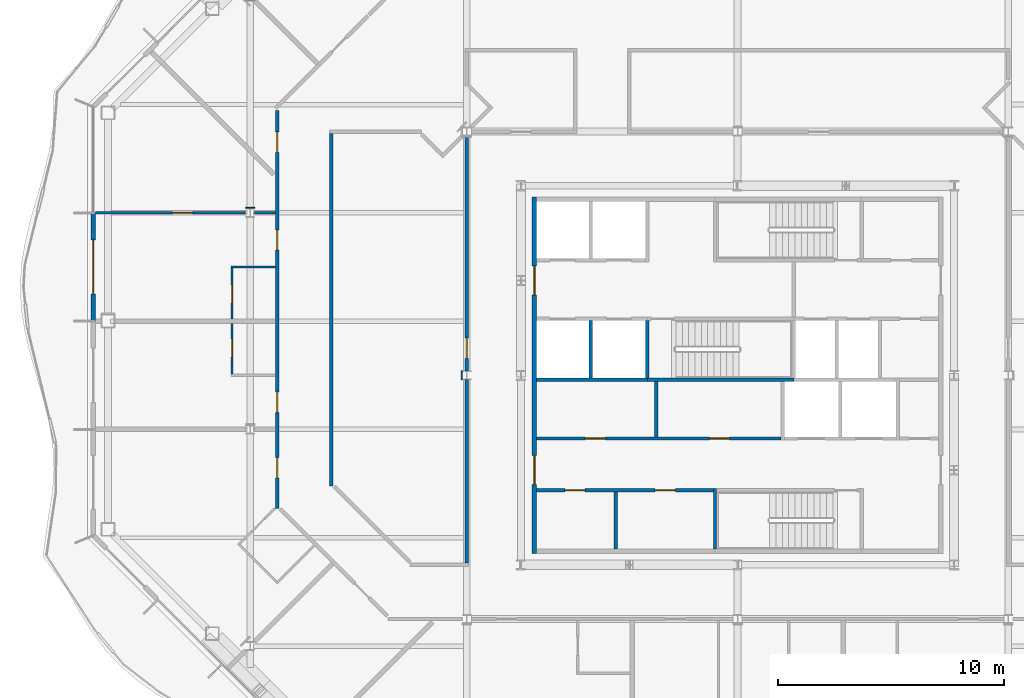
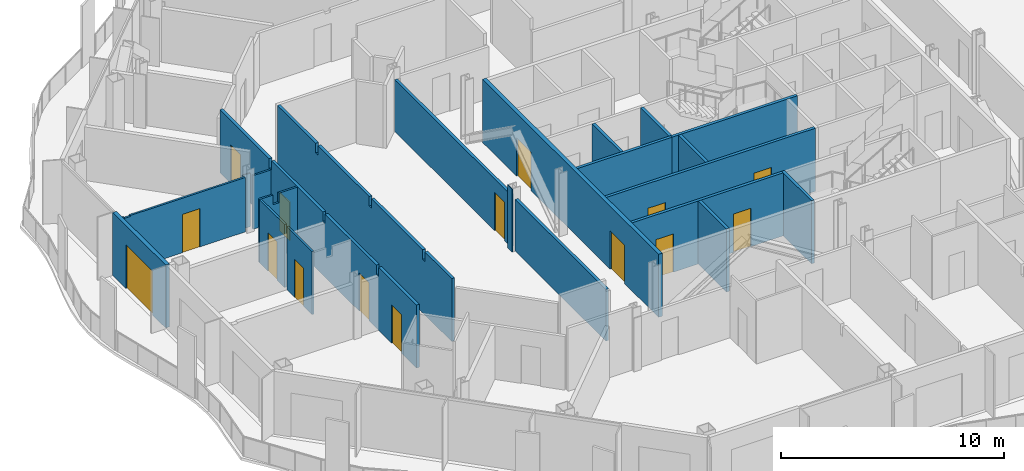
# One storey, part 8 of 20: 22 walls, 15 doors, 15 openings.
"""IFC4 building model written with IfcOpenShell, lengths in metres."""

from ifc_helpers import new_model, si_unit, direction, frame, frame_2d, origin, place, context, subcontext, project, spatial, polyline, rectangle, outline, extrude, material, layer, layer_set, type_object, element, fill, save


model = new_model("IFC4")

# Units and contexts
model_context = context("Model", 3, precision=1e-05, world=origin(), true_north=direction((0.0, 1.0)))
body_context = subcontext(model_context, "Body", "Model", "MODEL_VIEW")
ifc_project = project(units=[si_unit("LENGTHUNIT", "METRE"), si_unit("AREAUNIT", "SQUARE_METRE"), si_unit("VOLUMEUNIT", "CUBIC_METRE"), si_unit("PLANEANGLEUNIT", "RADIAN"), si_unit("MASSUNIT", "GRAM", prefix="KILO")], contexts=[model_context])

# Site, building, storey
site_placement = place(None, origin())
site = spatial("IfcSite", under=ifc_project, at=site_placement, CompositionType="ELEMENT")
building_placement = place(site_placement, origin())
building = spatial("IfcBuilding", under=site, at=building_placement, Name="Cairn Pilgrim Tower", CompositionType="ELEMENT")
storey_placement = place(building_placement, frame((0.0, 0.0, 165.0)))
storey = spatial("IfcBuildingStorey", under=building, at=storey_placement, Name="L41", CompositionType="ELEMENT", Elevation=165.0)

# Wall, opening, door
ifc_material_1 = material(Name="Bronze anodised aluminium insulated sandwich panel with mineral wool fill", Category="aluminium")
ifc_layer_1 = layer(ifc_material_1, 0.199951171875)
ifc_layer_set_1 = layer_set([ifc_layer_1], Name="BRONZE INFILL FRAME WALL 200")
wall_type_1 = type_object("IfcWallType", Name="BRONZE INFILL FRAME WALL 200", PredefinedType="NOTDEFINED", material=ifc_layer_set_1)
wall_1_placement = place(storey_placement, frame((-21.35009765625, 9.570068359375, 0.0), z_axis=(0.0, 0.0, 1.0), x_axis=(0.0, -1.0, 0.0)))
wall_1 = element("IfcWall", 1, at=wall_1_placement, inside=storey, type_object=wall_type_1, Name="Bronze infill frame wall IW-W2", PredefinedType="NOTDEFINED", context=body_context, shape_type="SweptSolid", body=[
    extrude(rectangle(XDim=4.739990234375, YDim=0.199951171875, at=frame_2d((2.3701171875, 0.0))), origin(), (0.0, 0.0, 1.0), 3.449951171875),
])
opening_1_placement = place(wall_1_placement, frame((1.169921875, 0.0, 0.0)))
opening_1 = element("IfcOpeningElement", 2, at=opening_1_placement, cuts=wall_1, Name="Opening 4117B", PredefinedType="OPENING", context=body_context, shape_type="SweptSolid", body=[
    extrude(rectangle(XDim=2.39990234375, YDim=2.39990234375, at=frame_2d((1.199951171875, 1.199951171875))), frame((0.0, 0.10986328125, 0.0), z_axis=(0.0, -1.0, 0.0), x_axis=(1.0, 0.0, 0.0)), (0.0, 0.0, 1.0), 0.219970703125),
])
ifc_material_2 = material(Name="Bronze anodised aluminium frame with tinted low-E glass", Category="aluminium")
door_type_1 = type_object("IfcDoorType", Name="BALCONY SLIDING DOOR 2400x2400", OperationType="DOUBLE_DOOR_SLIDING", PredefinedType="DOOR", material=ifc_material_2)
door_1_placement = place(opening_1_placement, origin())
door_1 = element("IfcDoor", 3, at=door_1_placement, inside=storey, type_object=door_type_1, Name="Balcony sliding door 4117B", OperationType="SINGLE_SWING_LEFT", OverallHeight=2.39990234375, OverallWidth=2.39990234375, PredefinedType="DOOR", context=body_context, shape_type="SweptSolid", body=[
    extrude(rectangle(XDim=2.39990234375, YDim=2.39990234375, at=frame_2d((1.199951171875, 1.199951171875))), frame((0.0, 0.02490234375, 0.0), z_axis=(0.0, -1.0, 0.0), x_axis=(1.0, 0.0, 0.0)), (0.0, 0.0, 1.0), 0.050048828125),
])
fill(opening_1, door_1)

# Wall, openings, doors
ifc_material_3 = material(Name="Concrete C32/40", Category="concrete")
ifc_layer_2 = layer(ifc_material_3, 0.199951171875)
ifc_layer_set_2 = layer_set([ifc_layer_2], Name="CORE OUTER WALL 200 EI 120")
wall_type_2 = type_object("IfcWallType", Name="CORE OUTER WALL 200 EI 120", PredefinedType="SOLIDWALL", material=ifc_layer_set_2)
wall_2_placement = place(storey_placement, frame((-1.800048828125, -5.5, 0.0), z_axis=(0.0, 0.0, 1.0), x_axis=(0.0, 1.0, 0.0)))
wall_2 = element("IfcWall", 4, at=wall_2_placement, inside=storey, type_object=wall_type_2, Name="CW:L41:V13", PredefinedType="SOLIDWALL", context=body_context, shape_type="SweptSolid", body=[
    extrude(rectangle(XDim=15.800048828125, YDim=0.199951171875, at=frame_2d((7.89990234375, 0.0))), origin(), (0.0, 0.0, 1.0), 3.449951171875),
])
opening_2_placement = place(wall_2_placement, frame((3.050048828125, 0.0, 0.0)))
opening_2 = element("IfcOpeningElement", 5, at=opening_2_placement, cuts=wall_2, Name="Opening CD-W1", PredefinedType="OPENING", context=body_context, shape_type="SweptSolid", body=[
    extrude(rectangle(XDim=1.300048828125, YDim=2.10009765625, at=frame_2d((0.64990234375, 1.050048828125))), frame((0.0, 0.10986328125, 0.0), z_axis=(0.0, -1.0, 0.0), x_axis=(1.0, 0.0, 0.0)), (0.0, 0.0, 1.0), 0.219970703125),
])
opening_3_placement = place(wall_2_placement, frame((11.449951171875, 0.0, 0.0)))
opening_3 = element("IfcOpeningElement", 6, at=opening_3_placement, cuts=wall_2, Name="Opening CD-W2", PredefinedType="OPENING", context=body_context, shape_type="SweptSolid", body=[
    extrude(rectangle(XDim=1.300048828125, YDim=2.10009765625, at=frame_2d((0.64990234375, 1.050048828125))), frame((0.0, 0.10986328125, 0.0), z_axis=(0.0, -1.0, 0.0), x_axis=(1.0, 0.0, 0.0)), (0.0, 0.0, 1.0), 0.219970703125),
])
ifc_material_4 = material(Name="Painted steel", Category="steel")
door_type_2 = type_object("IfcDoorType", Name="CORE LOBBY DOOR 1300x2100", OperationType="DOUBLE_DOOR_SINGLE_SWING", PredefinedType="DOOR", material=ifc_material_4)
door_2_placement = place(opening_2_placement, origin())
door_2 = element("IfcDoor", 7, at=door_2_placement, inside=storey, type_object=door_type_2, Name="CD-W1", OperationType="DOUBLE_DOOR_SINGLE_SWING", OverallHeight=2.10009765625, OverallWidth=1.300048828125, PredefinedType="DOOR", context=body_context, shape_type="SweptSolid", body=[
    extrude(rectangle(XDim=1.300048828125, YDim=2.10009765625, at=frame_2d((0.64990234375, 1.050048828125))), frame((0.0, 0.02490234375, 0.0), z_axis=(0.0, -1.0, 0.0), x_axis=(1.0, 0.0, 0.0)), (0.0, 0.0, 1.0), 0.050048828125),
])
fill(opening_2, door_2)
door_3_placement = place(opening_3_placement, origin())
door_3 = element("IfcDoor", 8, at=door_3_placement, inside=storey, type_object=door_type_2, Name="CD-W2", OperationType="DOUBLE_DOOR_SINGLE_SWING", OverallHeight=2.10009765625, OverallWidth=1.300048828125, PredefinedType="DOOR", context=body_context, shape_type="SweptSolid", body=[
    extrude(rectangle(XDim=1.300048828125, YDim=2.10009765625, at=frame_2d((0.64990234375, 1.050048828125))), frame((0.0, 0.02490234375, 0.0), z_axis=(0.0, -1.0, 0.0), x_axis=(1.0, 0.0, 0.0)), (0.0, 0.0, 1.0), 0.050048828125),
])
fill(opening_3, door_3)

ifc_layer_3 = layer(ifc_material_3, 0.14990234375)
ifc_layer_set_3 = layer_set([ifc_layer_3], Name="CORE PARTITION 150 EI 60")
wall_type_3 = type_object("IfcWallType", Name="CORE PARTITION 150 EI 60", PredefinedType="PARTITIONING", material=ifc_layer_set_3)
wall_3_placement = place(storey_placement, frame((-1.699951171875, -2.699951171875, 0.0), z_axis=(0.0, 0.0, 1.0), x_axis=(1.0, 0.0, 0.0)))
wall_3 = element("IfcWall", 9, at=wall_3_placement, inside=storey, type_object=wall_type_3, Name="CW:L41:H02", PredefinedType="PARTITIONING", context=body_context, shape_type="SweptSolid", body=[
    extrude(rectangle(XDim=7.824951171875, YDim=0.14990234375, at=frame_2d((3.91259765625, 0.0))), origin(), (0.0, 0.0, 1.0), 3.449951171875),
])
opening_4_placement = place(wall_3_placement, frame((1.25, 0.0, 0.0)))
opening_4 = element("IfcOpeningElement", 10, at=opening_4_placement, cuts=wall_3, Name="Opening RD-R1W1", PredefinedType="OPENING", context=body_context, shape_type="SweptSolid", body=[
    extrude(rectangle(XDim=0.89990234375, YDim=2.10009765625, at=frame_2d((0.449951171875, 1.050048828125))), frame((0.0, 0.0849609375, 0.0), z_axis=(0.0, -1.0, 0.0), x_axis=(1.0, 0.0, 0.0)), (0.0, 0.0, 1.0), 0.169921875),
])
opening_5_placement = place(wall_3_placement, frame((5.25, 0.0, 0.0)))
opening_5 = element("IfcOpeningElement", 11, at=opening_5_placement, cuts=wall_3, Name="Opening RD-R1W2", PredefinedType="OPENING", context=body_context, shape_type="SweptSolid", body=[
    extrude(rectangle(XDim=0.89990234375, YDim=2.10009765625, at=frame_2d((0.449951171875, 1.050048828125))), frame((0.0, 0.0849609375, 0.0), z_axis=(0.0, -1.0, 0.0), x_axis=(1.0, 0.0, 0.0)), (0.0, 0.0, 1.0), 0.169921875),
])
door_type_3 = type_object("IfcDoorType", Name="SERVICE ROOM DOOR 900x2100", OperationType="SINGLE_SWING_LEFT", PredefinedType="DOOR", material=ifc_material_4)
door_4_placement = place(opening_4_placement, origin())
door_4 = element("IfcDoor", 12, at=door_4_placement, inside=storey, type_object=door_type_3, Name="RD-R1W1", OperationType="SINGLE_SWING_LEFT", OverallHeight=2.10009765625, OverallWidth=0.89990234375, PredefinedType="DOOR", context=body_context, shape_type="SweptSolid", body=[
    extrude(rectangle(XDim=0.89990234375, YDim=2.10009765625, at=frame_2d((0.449951171875, 1.050048828125))), frame((0.0, 0.02490234375, 0.0), z_axis=(0.0, -1.0, 0.0), x_axis=(1.0, 0.0, 0.0)), (0.0, 0.0, 1.0), 0.050048828125),
])
fill(opening_4, door_4)
door_5_placement = place(opening_5_placement, origin())
door_5 = element("IfcDoor", 13, at=door_5_placement, inside=storey, type_object=door_type_3, Name="RD-R1W2", OperationType="SINGLE_SWING_RIGHT", OverallHeight=2.10009765625, OverallWidth=0.89990234375, PredefinedType="DOOR", context=body_context, shape_type="SweptSolid", body=[
    extrude(rectangle(XDim=0.89990234375, YDim=2.10009765625, at=frame_2d((0.449951171875, 1.050048828125))), frame((0.0, 0.02490234375, 0.0), z_axis=(0.0, -1.0, 0.0), x_axis=(1.0, 0.0, 0.0)), (0.0, 0.0, 1.0), 0.050048828125),
])
fill(opening_5, door_5)

wall_4_placement = place(storey_placement, frame((-1.699951171875, -0.39990234375, 0.0), z_axis=(0.0, 0.0, 1.0), x_axis=(1.0, 0.0, 0.0)))
wall_4 = element("IfcWall", 14, at=wall_4_placement, inside=storey, type_object=wall_type_3, Name="CW:L41:H04", PredefinedType="PARTITIONING", context=body_context, shape_type="SweptSolid", body=[
    extrude(rectangle(XDim=10.824951171875, YDim=0.14990234375, at=frame_2d((5.41259765625, 0.0))), origin(), (0.0, 0.0, 1.0), 3.449951171875),
])
opening_6_placement = place(wall_4_placement, frame((2.14990234375, 0.0, 0.0)))
opening_6 = element("IfcOpeningElement", 15, at=opening_6_placement, cuts=wall_4, Name="Opening RD-R2W1", PredefinedType="OPENING", context=body_context, shape_type="SweptSolid", body=[
    extrude(rectangle(XDim=0.89990234375, YDim=2.10009765625, at=frame_2d((0.449951171875, 1.050048828125))), frame((0.0, 0.0849609375, 0.0), z_axis=(0.0, -1.0, 0.0), x_axis=(1.0, 0.0, 0.0)), (0.0, 0.0, 1.0), 0.169921875),
])
opening_7_placement = place(wall_4_placement, frame((7.64990234375, 0.0, 0.0)))
opening_7 = element("IfcOpeningElement", 16, at=opening_7_placement, cuts=wall_4, Name="Opening RD-R2W2", PredefinedType="OPENING", context=body_context, shape_type="SweptSolid", body=[
    extrude(rectangle(XDim=0.89990234375, YDim=2.10009765625, at=frame_2d((0.449951171875, 1.050048828125))), frame((0.0, 0.0849609375, 0.0), z_axis=(0.0, -1.0, 0.0), x_axis=(1.0, 0.0, 0.0)), (0.0, 0.0, 1.0), 0.169921875),
])
door_6_placement = place(opening_6_placement, origin())
door_6 = element("IfcDoor", 17, at=door_6_placement, inside=storey, type_object=door_type_3, Name="RD-R2W1", OperationType="SINGLE_SWING_LEFT", OverallHeight=2.10009765625, OverallWidth=0.89990234375, PredefinedType="DOOR", context=body_context, shape_type="SweptSolid", body=[
    extrude(rectangle(XDim=0.89990234375, YDim=2.10009765625, at=frame_2d((0.449951171875, 1.050048828125))), frame((0.0, 0.02490234375, 0.0), z_axis=(0.0, -1.0, 0.0), x_axis=(1.0, 0.0, 0.0)), (0.0, 0.0, 1.0), 0.050048828125),
])
fill(opening_6, door_6)
door_7_placement = place(opening_7_placement, origin())
door_7 = element("IfcDoor", 18, at=door_7_placement, inside=storey, type_object=door_type_3, Name="RD-R2W2", OperationType="SINGLE_SWING_RIGHT", OverallHeight=2.10009765625, OverallWidth=0.89990234375, PredefinedType="DOOR", context=body_context, shape_type="SweptSolid", body=[
    extrude(rectangle(XDim=0.89990234375, YDim=2.10009765625, at=frame_2d((0.449951171875, 1.050048828125))), frame((0.0, 0.02490234375, 0.0), z_axis=(0.0, -1.0, 0.0), x_axis=(1.0, 0.0, 0.0)), (0.0, 0.0, 1.0), 0.050048828125),
])
fill(opening_7, door_7)

# Walls
wall_5_placement = place(storey_placement, frame((1.800048828125, -5.300048828125, 0.0), z_axis=(0.0, 0.0, 1.0), x_axis=(0.0, 1.0, 0.0)))
element("IfcWall", 19, at=wall_5_placement, inside=storey, type_object=wall_type_3, Name="CW:L41:V16", PredefinedType="PARTITIONING", context=body_context, shape_type="SweptSolid", body=[
    extrude(rectangle(XDim=2.525146484375, YDim=0.14990234375, at=frame_2d((1.2626953125, 0.0))), origin(), (0.0, 0.0, 1.0), 3.449951171875),
])
wall_6_placement = place(storey_placement, frame((3.60009765625, -0.324951171875, 0.0), z_axis=(0.0, 0.0, 1.0), x_axis=(0.0, 1.0, 0.0)))
element("IfcWall", 20, at=wall_6_placement, inside=storey, type_object=wall_type_3, Name="CW:L41:V19", PredefinedType="PARTITIONING", context=body_context, shape_type="SweptSolid", body=[
    extrude(rectangle(XDim=2.449951171875, YDim=0.14990234375, at=frame_2d((1.22509765625, 0.0))), origin(), (0.0, 0.0, 1.0), 3.449951171875),
])
ifc_layer_4 = layer(ifc_material_3, 0.14990234375)
ifc_layer_set_4 = layer_set([ifc_layer_4], Name="CORE SHAFT WALL 150 EI 120")
wall_type_4 = type_object("IfcWallType", Name="CORE SHAFT WALL 150 EI 120", PredefinedType="SOLIDWALL", material=ifc_layer_set_4)
wall_7_placement = place(storey_placement, frame((-1.699951171875, 2.199951171875, 0.0), z_axis=(0.0, 0.0, 1.0), x_axis=(1.0, 0.0, 0.0)))
element("IfcWall", 21, at=wall_7_placement, inside=storey, type_object=wall_type_4, Name="CW:L41:H07-1", PredefinedType="SOLIDWALL", context=body_context, shape_type="SweptSolid", body=[
    extrude(rectangle(XDim=4.89990234375, YDim=0.14990234375, at=frame_2d((2.449951171875, 0.0))), origin(), (0.0, 0.0, 1.0), 3.449951171875),
])
wall_8_placement = place(storey_placement, frame((0.699951171875, 2.27490234375, 0.0), z_axis=(0.0, 0.0, 1.0), x_axis=(0.0, 1.0, 0.0)))
element("IfcWall", 22, at=wall_8_placement, inside=storey, type_object=wall_type_4, Name="CW:L41:V14", PredefinedType="SOLIDWALL", context=body_context, shape_type="SweptSolid", body=[
    extrude(rectangle(XDim=2.550048828125, YDim=0.14990234375, at=frame_2d((1.27490234375, 0.0))), origin(), (0.0, 0.0, 1.0), 3.449951171875),
])

# Wall, opening, door
ifc_material_5 = material(Name="Gypsum partition")
ifc_layer_5 = layer(ifc_material_5, 0.10009765625)
ifc_layer_set_5 = layer_set([ifc_layer_5], Name="PARTITION 100 DRYWALL")
wall_type_5 = type_object("IfcWallType", Name="PARTITION 100 DRYWALL", PredefinedType="PARTITIONING", material=ifc_layer_set_5)
wall_9_placement = place(storey_placement, frame((-15.199951171875, 2.449951171875, 0.0), z_axis=(0.0, 0.0, 1.0), x_axis=(0.0, 1.0, 0.0)))
wall_9 = element("IfcWall", 23, at=wall_9_placement, inside=storey, type_object=wall_type_5, Name="PARTITION W048", PredefinedType="PARTITIONING", context=body_context, shape_type="SweptSolid", body=[
    extrude(rectangle(XDim=2.25, YDim=0.10009765625, at=frame_2d((1.125, 0.0))), origin(), (0.0, 0.0, 1.0), 3.449951171875),
])
opening_8_placement = place(wall_9_placement, frame((0.75, 0.0, 0.0)))
opening_8 = element("IfcOpeningElement", 24, at=opening_8_placement, cuts=wall_9, Name="Opening 4118A", PredefinedType="OPENING", context=body_context, shape_type="SweptSolid", body=[
    extrude(rectangle(XDim=0.800048828125, YDim=2.10009765625, at=frame_2d((0.39990234375, 1.050048828125))), frame((0.0, 0.06005859375, 0.0), z_axis=(0.0, -1.0, 0.0), x_axis=(1.0, 0.0, 0.0)), (0.0, 0.0, 1.0), 0.1201171875),
])
ifc_material_6 = material(Name="Timber door leaf", Category="wood")
door_type_4 = type_object("IfcDoorType", Name="WC DOOR 800x2100", OperationType="NOTDEFINED", PredefinedType="DOOR", material=ifc_material_6)
door_8_placement = place(opening_8_placement, origin())
door_8 = element("IfcDoor", 25, at=door_8_placement, inside=storey, type_object=door_type_4, Name="DOOR 4118A", OperationType="SINGLE_SWING_LEFT", OverallHeight=2.10009765625, OverallWidth=0.800048828125, PredefinedType="DOOR", context=body_context, shape_type="SweptSolid", body=[
    extrude(rectangle(XDim=0.800048828125, YDim=2.10009765625, at=frame_2d((0.39990234375, 1.050048828125))), frame((0.0, 0.02490234375, 0.0), z_axis=(0.0, -1.0, 0.0), x_axis=(1.0, 0.0, 0.0)), (0.0, 0.0, 1.0), 0.050048828125),
])
fill(opening_8, door_8)

wall_10_placement = place(storey_placement, frame((-15.199951171875, 4.89990234375, 0.0), z_axis=(0.0, 0.0, 1.0), x_axis=(0.0, 1.0, 0.0)))
wall_10 = element("IfcWall", 26, at=wall_10_placement, inside=storey, type_object=wall_type_5, Name="PARTITION W059", PredefinedType="PARTITIONING", context=body_context, shape_type="SweptSolid", body=[
    extrude(rectangle(XDim=2.25, YDim=0.10009765625, at=frame_2d((1.125, 0.0))), origin(), (0.0, 0.0, 1.0), 3.449951171875),
])
opening_9_placement = place(wall_10_placement, frame((0.699951171875, 0.0, 0.0)))
opening_9 = element("IfcOpeningElement", 27, at=opening_9_placement, cuts=wall_10, Name="Opening 4117A", PredefinedType="OPENING", context=body_context, shape_type="SweptSolid", body=[
    extrude(rectangle(XDim=0.800048828125, YDim=2.10009765625, at=frame_2d((0.39990234375, 1.050048828125))), frame((0.0, 0.06005859375, 0.0), z_axis=(0.0, -1.0, 0.0), x_axis=(1.0, 0.0, 0.0)), (0.0, 0.0, 1.0), 0.1201171875),
])
door_9_placement = place(opening_9_placement, origin())
door_9 = element("IfcDoor", 28, at=door_9_placement, inside=storey, type_object=door_type_4, Name="DOOR 4117A", OperationType="SINGLE_SWING_LEFT", OverallHeight=2.10009765625, OverallWidth=0.800048828125, PredefinedType="DOOR", context=body_context, shape_type="SweptSolid", body=[
    extrude(rectangle(XDim=0.800048828125, YDim=2.10009765625, at=frame_2d((0.39990234375, 1.050048828125))), frame((0.0, 0.02490234375, 0.0), z_axis=(0.0, -1.0, 0.0), x_axis=(1.0, 0.0, 0.0)), (0.0, 0.0, 1.0), 0.050048828125),
])
fill(opening_9, door_9)

# Wall
wall_11_placement = place(storey_placement, frame((-15.25, 7.199951171875, 0.0), z_axis=(0.0, 0.0, 1.0), x_axis=(1.0, 0.0, 0.0)))
element("IfcWall", 29, at=wall_11_placement, inside=storey, type_object=wall_type_5, Name="PARTITION W062", PredefinedType="PARTITIONING", context=body_context, shape_type="SweptSolid", body=[
    extrude(outline(polyline([(0.0, 0.0), (1.97509765625, 0.0), (1.97509765625, 3.449951171875), (1.0, 3.449951171875), (0.998046875, 2.929931640625), (0.699951171875, 2.929931640625), (0.697998046875, 3.449951171875), (0.0, 3.449951171875), (0.0, 0.0)])), frame((0.0, 0.050048828125, 0.0), z_axis=(0.0, -1.0, 0.0), x_axis=(1.0, 0.0, 0.0)), (0.0, 0.0, 1.0), 0.10009765625),
])

# Wall, opening, door
wall_12_placement = place(storey_placement, frame((-21.25, 9.60009765625, 0.0), z_axis=(0.0, 0.0, 1.0), x_axis=(1.0, 0.0, 0.0)))
wall_12 = element("IfcWall", 30, at=wall_12_placement, inside=storey, type_object=wall_type_5, Name="PARTITION W064", PredefinedType="PARTITIONING", context=body_context, shape_type="SweptSolid", body=[
    extrude(outline(polyline([(0.0, 0.0), (6.650390625, 0.0), (6.650390625, 2.97998046875), (0.699951171875, 2.97998046875), (0.697998046875, 2.929931640625), (0.39990234375, 2.929931640625), (0.39794921875, 2.97998046875), (0.0, 2.97998046875), (0.0, 0.0)])), frame((0.0, 0.050048828125, 0.0), z_axis=(0.0, -1.0, 0.0), x_axis=(1.0, 0.0, 0.0)), (0.0, 0.0, 1.0), 0.10009765625),
])
opening_10_placement = place(wall_12_placement, frame((3.39990234375, 0.0, 0.0)))
opening_10 = element("IfcOpeningElement", 31, at=opening_10_placement, cuts=wall_12, Name="Opening 4123", PredefinedType="OPENING", context=body_context, shape_type="SweptSolid", body=[
    extrude(rectangle(XDim=0.89990234375, YDim=2.10009765625, at=frame_2d((0.449951171875, 1.050048828125))), frame((0.0, 0.06005859375, 0.0), z_axis=(0.0, -1.0, 0.0), x_axis=(1.0, 0.0, 0.0)), (0.0, 0.0, 1.0), 0.1201171875),
])
door_type_5 = type_object("IfcDoorType", Name="SERVICE DOOR 900x2100", OperationType="NOTDEFINED", PredefinedType="DOOR", material=ifc_material_6)
door_10_placement = place(opening_10_placement, frame((0.89990234375, 0.0, 0.0), z_axis=(0.0, 0.0, 1.0), x_axis=(-1.0, 0.0, 0.0)))
door_10 = element("IfcDoor", 32, at=door_10_placement, inside=storey, type_object=door_type_5, Name="DOOR 4123", OperationType="SINGLE_SWING_LEFT", OverallHeight=2.10009765625, OverallWidth=0.89990234375, PredefinedType="DOOR", context=body_context, shape_type="SweptSolid", body=[
    extrude(rectangle(XDim=0.89990234375, YDim=2.10009765625, at=frame_2d((0.449951171875, 1.050048828125))), frame((0.0, 0.02490234375, 0.0), z_axis=(0.0, -1.0, 0.0), x_axis=(1.0, 0.0, 0.0)), (0.0, 0.0, 1.0), 0.050048828125),
])
fill(opening_10, door_10)

# Walls
wall_13_placement = place(storey_placement, frame((-14.200439453125, 9.60009765625, 0.0), z_axis=(0.0, 0.0, 1.0), x_axis=(1.0, 0.0, 0.0)))
element("IfcWall", 33, at=wall_13_placement, inside=storey, type_object=wall_type_5, Name="PARTITION W065", PredefinedType="PARTITIONING", context=body_context, shape_type="SweptSolid", body=[
    extrude(rectangle(XDim=0.925537109375, YDim=0.10009765625, at=frame_2d((0.462890625, 0.0))), origin(), (0.0, 0.0, 1.0), 2.929931640625),
])
ifc_layer_6 = layer(ifc_material_5, 0.14990234375)
ifc_layer_set_6 = layer_set([ifc_layer_6], Name="PARTITION 150 DRYWALL EI 60")
wall_type_6 = type_object("IfcWallType", Name="PARTITION 150 DRYWALL EI 60", PredefinedType="PARTITIONING", material=ifc_layer_set_6)
wall_14_placement = place(storey_placement, frame((-4.800048828125, -5.925048828125, 0.0), z_axis=(0.0, 0.0, 1.0), x_axis=(0.0, 1.0, 0.0)))
element("IfcWall", 34, at=wall_14_placement, inside=storey, type_object=wall_type_6, Name="PARTITION W033", PredefinedType="PARTITIONING", context=body_context, shape_type="SweptSolid", body=[
    extrude(rectangle(XDim=8.128662109375, YDim=0.14990234375, at=frame_2d((4.064453125, 0.0))), origin(), (0.0, 0.0, 1.0), 2.830078125),
])

# Wall, openings, doors
wall_15_placement = place(storey_placement, frame((-13.199951171875, -3.5, 0.0), z_axis=(0.0, 0.0, 1.0), x_axis=(0.0, 1.0, 0.0)))
wall_15 = element("IfcWall", 35, at=wall_15_placement, inside=storey, type_object=wall_type_6, Name="PARTITION W037", PredefinedType="PARTITIONING", context=body_context, shape_type="SweptSolid", body=[
    extrude(outline(polyline([(0.0, 0.0), (17.634033203125, 0.0), (17.634033203125, 3.449951171875), (13.2001953125, 3.449951171875), (13.197998046875, 2.929931640625), (13.0, 2.929931640625), (12.998046875, 3.449951171875), (8.400146484375, 3.449951171875), (8.398193359375, 2.929931640625), (8.2001953125, 2.929931640625), (8.197998046875, 3.449951171875), (3.60009765625, 3.449951171875), (3.59814453125, 2.929931640625), (3.400146484375, 2.929931640625), (3.398193359375, 3.449951171875), (0.0, 3.449951171875), (0.0, 0.0)])), frame((0.0, 0.074951171875, 0.0), z_axis=(0.0, -1.0, 0.0), x_axis=(1.0, 0.0, 0.0)), (0.0, 0.0, 1.0), 0.14990234375),
])
opening_11_placement = place(wall_15_placement, frame((15.7841796875, 0.0, 0.0)))
opening_11 = element("IfcOpeningElement", 36, at=opening_11_placement, cuts=wall_15, Name="Opening 4116", PredefinedType="OPENING", context=body_context, shape_type="SweptSolid", body=[
    extrude(rectangle(XDim=0.89990234375, YDim=2.10009765625, at=frame_2d((0.449951171875, 1.050048828125))), frame((0.0, 0.0849609375, 0.0), z_axis=(0.0, -1.0, 0.0), x_axis=(1.0, 0.0, 0.0)), (0.0, 0.0, 1.0), 0.169921875),
])
opening_12_placement = place(wall_15_placement, frame((11.449951171875, 0.0, 0.0)))
opening_12 = element("IfcOpeningElement", 37, at=opening_12_placement, cuts=wall_15, Name="Opening 4117", PredefinedType="OPENING", context=body_context, shape_type="SweptSolid", body=[
    extrude(rectangle(XDim=0.89990234375, YDim=2.10009765625, at=frame_2d((0.449951171875, 1.050048828125))), frame((0.0, 0.0849609375, 0.0), z_axis=(0.0, -1.0, 0.0), x_axis=(1.0, 0.0, 0.0)), (0.0, 0.0, 1.0), 0.169921875),
])
opening_13_placement = place(wall_15_placement, frame((4.25, 0.0, 0.0)))
opening_13 = element("IfcOpeningElement", 38, at=opening_13_placement, cuts=wall_15, Name="Opening 4118", PredefinedType="OPENING", context=body_context, shape_type="SweptSolid", body=[
    extrude(rectangle(XDim=0.89990234375, YDim=2.10009765625, at=frame_2d((0.449951171875, 1.050048828125))), frame((0.0, 0.0849609375, 0.0), z_axis=(0.0, -1.0, 0.0), x_axis=(1.0, 0.0, 0.0)), (0.0, 0.0, 1.0), 0.169921875),
])
opening_14_placement = place(wall_15_placement, frame((1.35302734375, 0.0, 0.0)))
opening_14 = element("IfcOpeningElement", 39, at=opening_14_placement, cuts=wall_15, Name="Opening 4119", PredefinedType="OPENING", context=body_context, shape_type="SweptSolid", body=[
    extrude(rectangle(XDim=0.89990234375, YDim=2.10009765625, at=frame_2d((0.449951171875, 1.050048828125))), frame((0.0, 0.0849609375, 0.0), z_axis=(0.0, -1.0, 0.0), x_axis=(1.0, 0.0, 0.0)), (0.0, 0.0, 1.0), 0.169921875),
])
door_type_6 = type_object("IfcDoorType", Name="ROOM DOOR 900x2100 FD30S", OperationType="NOTDEFINED", PredefinedType="DOOR", material=ifc_material_6)
door_11_placement = place(opening_12_placement, origin())
door_11 = element("IfcDoor", 40, at=door_11_placement, inside=storey, type_object=door_type_6, Name="DOOR 4117", OperationType="SINGLE_SWING_LEFT", OverallHeight=2.10009765625, OverallWidth=0.89990234375, PredefinedType="DOOR", context=body_context, shape_type="SweptSolid", body=[
    extrude(rectangle(XDim=0.89990234375, YDim=2.10009765625, at=frame_2d((0.449951171875, 1.050048828125))), frame((0.0, 0.02490234375, 0.0), z_axis=(0.0, -1.0, 0.0), x_axis=(1.0, 0.0, 0.0)), (0.0, 0.0, 1.0), 0.050048828125),
])
fill(opening_12, door_11)
door_12_placement = place(opening_13_placement, origin())
door_12 = element("IfcDoor", 41, at=door_12_placement, inside=storey, type_object=door_type_6, Name="DOOR 4118", OperationType="SINGLE_SWING_LEFT", OverallHeight=2.10009765625, OverallWidth=0.89990234375, PredefinedType="DOOR", context=body_context, shape_type="SweptSolid", body=[
    extrude(rectangle(XDim=0.89990234375, YDim=2.10009765625, at=frame_2d((0.449951171875, 1.050048828125))), frame((0.0, 0.02490234375, 0.0), z_axis=(0.0, -1.0, 0.0), x_axis=(1.0, 0.0, 0.0)), (0.0, 0.0, 1.0), 0.050048828125),
])
fill(opening_13, door_12)
door_13_placement = place(opening_14_placement, origin())
door_13 = element("IfcDoor", 42, at=door_13_placement, inside=storey, type_object=door_type_6, Name="DOOR 4119", OperationType="SINGLE_SWING_LEFT", OverallHeight=2.10009765625, OverallWidth=0.89990234375, PredefinedType="DOOR", context=body_context, shape_type="SweptSolid", body=[
    extrude(rectangle(XDim=0.89990234375, YDim=2.10009765625, at=frame_2d((0.449951171875, 1.050048828125))), frame((0.0, 0.02490234375, 0.0), z_axis=(0.0, -1.0, 0.0), x_axis=(1.0, 0.0, 0.0)), (0.0, 0.0, 1.0), 0.050048828125),
])
fill(opening_14, door_13)
door_type_7 = type_object("IfcDoorType", Name="SERVICE DOOR 900x2100 FD30S", OperationType="NOTDEFINED", PredefinedType="DOOR", material=ifc_material_6)
door_14_placement = place(opening_11_placement, origin())
door_14 = element("IfcDoor", 43, at=door_14_placement, inside=storey, type_object=door_type_7, Name="DOOR 4116", OperationType="SINGLE_SWING_LEFT", OverallHeight=2.10009765625, OverallWidth=0.89990234375, PredefinedType="DOOR", context=body_context, shape_type="SweptSolid", body=[
    extrude(rectangle(XDim=0.89990234375, YDim=2.10009765625, at=frame_2d((0.449951171875, 1.050048828125))), frame((0.0, 0.02490234375, 0.0), z_axis=(0.0, -1.0, 0.0), x_axis=(1.0, 0.0, 0.0)), (0.0, 0.0, 1.0), 0.050048828125),
])
fill(opening_11, door_14)

# Wall
wall_16_placement = place(storey_placement, frame((-10.800048828125, -2.506103515625, 0.0), z_axis=(0.0, 0.0, 1.0), x_axis=(0.0, 1.0, 0.0)))
element("IfcWall", 44, at=wall_16_placement, inside=storey, type_object=wall_type_6, Name="PARTITION W038", PredefinedType="PARTITIONING", context=body_context, shape_type="SweptSolid", body=[
    extrude(outline(polyline([(0.0, 0.0), (15.631103515625, 0.0), (15.631103515625, 3.449951171875), (12.2060546875, 3.449951171875), (12.2041015625, 2.929931640625), (12.006103515625, 2.929931640625), (12.004150390625, 3.449951171875), (7.406005859375, 3.449951171875), (7.404052734375, 2.929931640625), (7.2060546875, 2.929931640625), (7.2041015625, 3.449951171875), (2.606201171875, 3.449951171875), (2.60400390625, 2.929931640625), (2.406005859375, 2.929931640625), (2.404052734375, 3.449951171875), (0.0, 3.449951171875), (0.0, 0.0)])), frame((0.0, 0.074951171875, 0.0), z_axis=(0.0, -1.0, 0.0), x_axis=(1.0, 0.0, 0.0)), (0.0, 0.0, 1.0), 0.14990234375),
])

# Wall, opening, door
wall_17_placement = place(storey_placement, frame((-4.800048828125, 2.596435546875, 0.0), z_axis=(0.0, 0.0, 1.0), x_axis=(0.0, 1.0, 0.0)))
wall_17 = element("IfcWall", 45, at=wall_17_placement, inside=storey, type_object=wall_type_6, Name="PARTITION W051", PredefinedType="PARTITIONING", context=body_context, shape_type="SweptSolid", body=[
    extrude(rectangle(XDim=10.406982421875, YDim=0.14990234375, at=frame_2d((5.20361328125, 0.0))), origin(), (0.0, 0.0, 1.0), 2.830078125),
])
opening_15_placement = place(wall_17_placement, frame((0.553466796875, 0.0, 0.0)))
opening_15 = element("IfcOpeningElement", 46, at=opening_15_placement, cuts=wall_17, Name="Opening 4129", PredefinedType="OPENING", context=body_context, shape_type="SweptSolid", body=[
    extrude(rectangle(XDim=0.89990234375, YDim=2.10009765625, at=frame_2d((0.449951171875, 1.050048828125))), frame((0.0, 0.0849609375, 0.0), z_axis=(0.0, -1.0, 0.0), x_axis=(1.0, 0.0, 0.0)), (0.0, 0.0, 1.0), 0.169921875),
])
door_15_placement = place(opening_15_placement, origin())
door_15 = element("IfcDoor", 47, at=door_15_placement, inside=storey, type_object=door_type_7, Name="DOOR 4129", OperationType="SINGLE_SWING_RIGHT", OverallHeight=2.10009765625, OverallWidth=0.89990234375, PredefinedType="DOOR", context=body_context, shape_type="SweptSolid", body=[
    extrude(rectangle(XDim=0.89990234375, YDim=2.10009765625, at=frame_2d((0.449951171875, 1.050048828125))), frame((0.0, 0.02490234375, 0.0), z_axis=(0.0, -1.0, 0.0), x_axis=(1.0, 0.0, 0.0)), (0.0, 0.0, 1.0), 0.050048828125),
])
fill(opening_15, door_15)

# Walls
ifc_layer_7 = layer(ifc_material_5, 0.050048828125)
ifc_layer_set_7 = layer_set([ifc_layer_7], Name="PARTITION 50 DRYWALL")
wall_type_7 = type_object("IfcWallType", Name="PARTITION 50 DRYWALL", PredefinedType="PARTITIONING", material=ifc_layer_set_7)
wall_18_placement = place(storey_placement, frame((-14.599609375, 9.821533203125, 0.0), z_axis=(0.0, 0.0, 1.0), x_axis=(1.0, 0.0, 0.0)))
element("IfcWall", 48, at=wall_18_placement, inside=storey, type_object=wall_type_7, Name="COLUMN CASING WC21", PredefinedType="PARTITIONING", context=body_context, shape_type="SweptSolid", body=[
    extrude(rectangle(XDim=0.399169921875, YDim=0.050048828125, at=frame_2d((0.19970703125, 0.0))), origin(), (0.0, 0.0, 1.0), 2.929931640625),
])
ifc_layer_8 = layer(ifc_material_5, 0.050048828125)
ifc_layer_set_8 = layer_set([ifc_layer_8], Name="PARTITION 50 DRYWALL EI 60")
wall_type_8 = type_object("IfcWallType", Name="PARTITION 50 DRYWALL EI 60", PredefinedType="PARTITIONING", material=ifc_layer_set_8)
wall_19_placement = place(storey_placement, frame((-5.0244140625, 2.20361328125, 0.0), z_axis=(0.0, 0.0, 1.0), x_axis=(0.0, 1.0, 0.0)))
element("IfcWall", 49, at=wall_19_placement, inside=storey, type_object=wall_type_8, Name="COLUMN CASING WC13", PredefinedType="PARTITIONING", context=body_context, shape_type="SweptSolid", body=[
    extrude(rectangle(XDim=0.392822265625, YDim=0.050048828125, at=frame_2d((0.1962890625, 0.0))), origin(), (0.0, 0.0, 1.0), 3.449951171875),
])
ifc_material_7 = material(Name="Concrete C35/45", Category="concrete")
ifc_layer_9 = layer(ifc_material_7, 0.14990234375)
ifc_layer_set_9 = layer_set([ifc_layer_9], Name="STAIR SHAFT WALL 150 EI 120")
wall_type_9 = type_object("IfcWallType", Name="STAIR SHAFT WALL 150 EI 120", PredefinedType="SOLIDWALL", material=ifc_layer_set_9)
wall_20_placement = place(storey_placement, frame((3.199951171875, 2.199951171875, 0.0), z_axis=(0.0, 0.0, 1.0), x_axis=(1.0, 0.0, 0.0)))
element("IfcWall", 50, at=wall_20_placement, inside=storey, type_object=wall_type_9, Name="CW:L41:H07-2", PredefinedType="SOLIDWALL", context=body_context, shape_type="SweptSolid", body=[
    extrude(rectangle(XDim=6.5, YDim=0.14990234375, at=frame_2d((3.25, 0.0))), origin(), (0.0, 0.0, 1.0), 3.449951171875),
])
wall_21_placement = place(storey_placement, frame((3.199951171875, 2.27490234375, 0.0), z_axis=(0.0, 0.0, 1.0), x_axis=(0.0, 1.0, 0.0)))
element("IfcWall", 51, at=wall_21_placement, inside=storey, type_object=wall_type_9, Name="CW:L41:V17", PredefinedType="SOLIDWALL", context=body_context, shape_type="SweptSolid", body=[
    extrude(rectangle(XDim=2.550048828125, YDim=0.14990234375, at=frame_2d((1.27490234375, 0.0))), origin(), (0.0, 0.0, 1.0), 3.449951171875),
])
wall_22_placement = place(storey_placement, frame((6.199951171875, -5.300048828125, 0.0), z_axis=(0.0, 0.0, 1.0), x_axis=(0.0, 1.0, 0.0)))
element("IfcWall", 52, at=wall_22_placement, inside=storey, type_object=wall_type_9, Name="CW:L41:V20", PredefinedType="SOLIDWALL", context=body_context, shape_type="SweptSolid", body=[
    extrude(rectangle(XDim=2.675048828125, YDim=0.14990234375, at=frame_2d((1.33740234375, 0.0))), origin(), (0.0, 0.0, 1.0), 3.449951171875),
])

save(model, "model.ifc")
